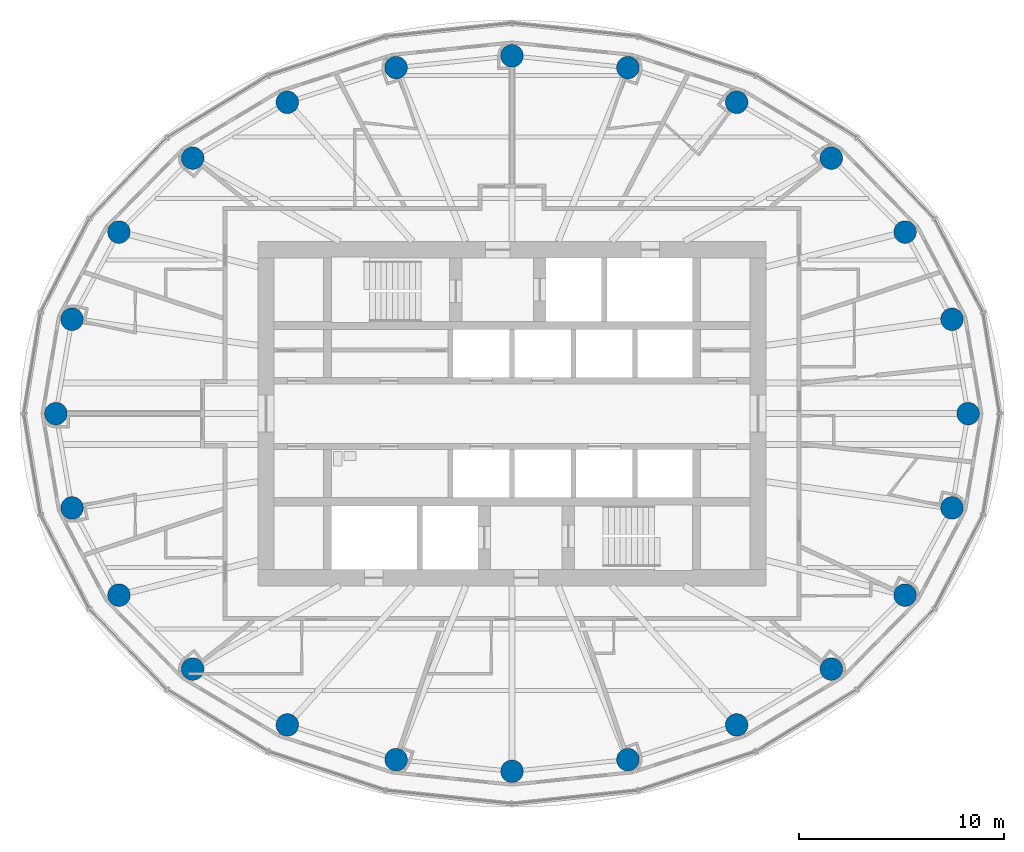
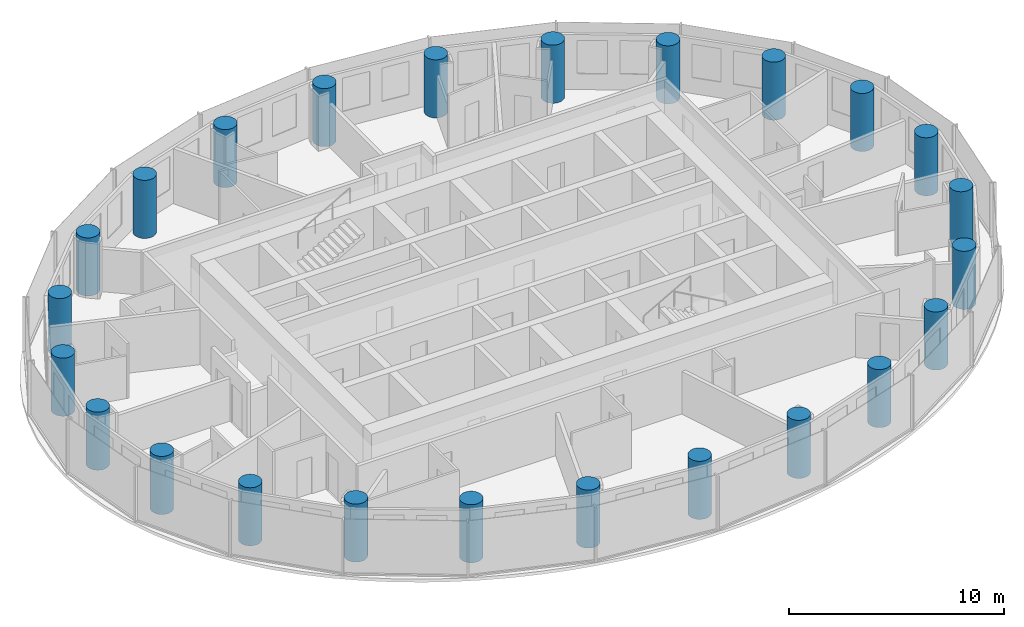
# One storey, part 1 of 16: 24 columns.
"""IFC4 building model written with IfcOpenShell, lengths in metres."""

from ifc_helpers import new_model, si_unit, direction, frame, origin, origin_2d, place, context, subcontext, project, spatial, circle, extrude, material, material_profile, profile_set, type_object, element, save


model = new_model("IFC4")

# Units and contexts
model_context = context("Model", 3, precision=1e-05, world=origin(), true_north=direction((0.0, 1.0)))
body_context = subcontext(model_context, "Body", "Model", "MODEL_VIEW")
ifc_project = project(units=[si_unit("LENGTHUNIT", "METRE"), si_unit("AREAUNIT", "SQUARE_METRE"), si_unit("VOLUMEUNIT", "CUBIC_METRE"), si_unit("PLANEANGLEUNIT", "RADIAN"), si_unit("MASSUNIT", "GRAM", prefix="KILO")], contexts=[model_context])

# Site, building, storey
site_placement = place(None, origin())
site = spatial("IfcSite", under=ifc_project, at=site_placement, CompositionType="ELEMENT")
building_placement = place(site_placement, origin())
building = spatial("IfcBuilding", under=site, at=building_placement, Name="Hankou Lantern Tower", CompositionType="ELEMENT")
storey_placement = place(building_placement, frame((0.0, 0.0, 173.10009765625)))
storey = spatial("IfcBuildingStorey", under=building, at=storey_placement, Name="L46", CompositionType="ELEMENT", Elevation=173.10009765625)

# Columns
ifc_material = material(Name="Concrete C50", Category="concrete")
ifc_material_profile = material_profile(ifc_material, circle(Radius=0.550048828125, at=origin_2d()), Name="RC D1100")
ifc_profile_set = profile_set([ifc_material_profile], Name="Concrete C50")
column_type = type_object("IfcColumnType", Name="TC4 PERIMETER COLUMN RC D1100", PredefinedType="COLUMN", material=ifc_profile_set)
for number, where, z_axis, x_axis, name in (
    (1, (22.25, 0.0, 0.0), (0.0, 0.0, 1.0), (1.0, 0.0, 0.0), "Column R01 L46"),
    (2, (21.462646484375, 4.600830078125, 0.0), (0.0, 0.0, 1.0), (1.0, 0.0, 0.0), "Column R02 L46"),
    (3, (19.172119140625, 8.855224609375, 0.0), (0.0, 0.0, 1.0), (1.0, 0.0, 0.0), "Column R03 L46"),
    (4, (15.576171875, 12.4609375, 0.0), (0.0, 0.0, 1.0), (1.0, 0.0, 0.0), "Column R04 L46"),
    (5, (10.959716796875, 15.186279296875, 0.0), (0.0, 0.0, 1.0), (1.0, 0.0, 0.0), "Column R05 L46"),
    (6, (5.65283203125, 16.87744140625, 0.0), (0.0, 0.0, 1.0), (1.0, 0.0, 0.0), "Column R06 L46"),
    (7, (0.0, 17.449951171875, 0.0), (0.0, 0.0, 1.0), (1.0, 0.0, 0.0), "Column R07 L46"),
    (8, (-5.65283203125, 16.87744140625, 0.0), (0.0, 0.0, 1.0), (1.0, 0.0, 0.0), "Column R08 L46"),
    (9, (-10.959716796875, 15.186279296875, 0.0), (0.0, 0.0, 1.0), (1.0, 0.0, 0.0), "Column R09 L46"),
    (10, (-15.576171875, 12.4609375, 0.0), (0.0, 0.0, 1.0), (1.0, 0.0, 0.0), "Column R10 L46"),
    (11, (-19.172119140625, 8.855224609375, 0.0), (0.0, 0.0, 1.0), (1.0, 0.0, 0.0), "Column R11 L46"),
    (12, (-21.462646484375, 4.600830078125, 0.0), (0.0, 0.0, 1.0), (1.0, 0.0, 0.0), "Column R12 L46"),
    (13, (-22.25, 0.0, 0.0), (0.0, 0.0, 1.0), (1.0, 0.0, 0.0), "Column R13 L46"),
    (14, (-21.462646484375, -4.600830078125, 0.0), (0.0, 0.0, 1.0), (1.0, 0.0, 0.0), "Column R14 L46"),
    (15, (-19.172119140625, -8.855224609375, 0.0), (0.0, 0.0, 1.0), (1.0, 0.0, 0.0), "Column R15 L46"),
    (16, (-15.576171875, -12.4609375, 0.0), (0.0, 0.0, 1.0), (1.0, 0.0, 0.0), "Column R16 L46"),
    (17, (-10.959716796875, -15.186279296875, 0.0), (0.0, 0.0, 1.0), (1.0, 0.0, 0.0), "Column R17 L46"),
    (18, (-5.65283203125, -16.87744140625, 0.0), (0.0, 0.0, 1.0), (1.0, 0.0, 0.0), "Column R18 L46"),
    (19, (0.0, -17.449951171875, 0.0), (0.0, 0.0, 1.0), (1.0, 0.0, 0.0), "Column R19 L46"),
    (20, (5.65283203125, -16.87744140625, 0.0), (0.0, 0.0, 1.0), (1.0, 0.0, 0.0), "Column R20 L46"),
    (21, (10.959716796875, -15.186279296875, 0.0), (0.0, 0.0, 1.0), (1.0, 0.0, 0.0), "Column R21 L46"),
    (22, (15.576171875, -12.4609375, 0.0), (0.0, 0.0, 1.0), (1.0, 0.0, 0.0), "Column R22 L46"),
    (23, (19.172119140625, -8.855224609375, 0.0), (0.0, 0.0, 1.0), (1.0, 0.0, 0.0), "Column R23 L46"),
    (24, (21.462646484375, -4.600830078125, 0.0), (0.0, 0.0, 1.0), (1.0, 0.0, 0.0), "Column R24 L46"),
):
    element("IfcColumn", number, at=place(storey_placement, frame(where, z_axis=z_axis, x_axis=x_axis)), inside=storey, type_object=column_type, Name=name, PredefinedType="COLUMN", context=body_context, shape_type="SweptSolid", body=[
        extrude(circle(Radius=0.550048828125, at=origin_2d()), origin(), (0.0, 0.0, 1.0), 3.2998046875),
    ])

save(model, "model.ifc")
